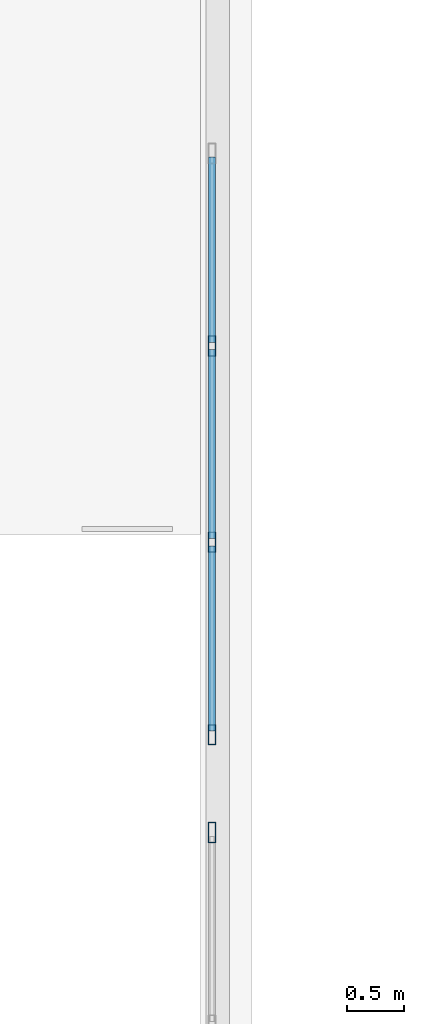
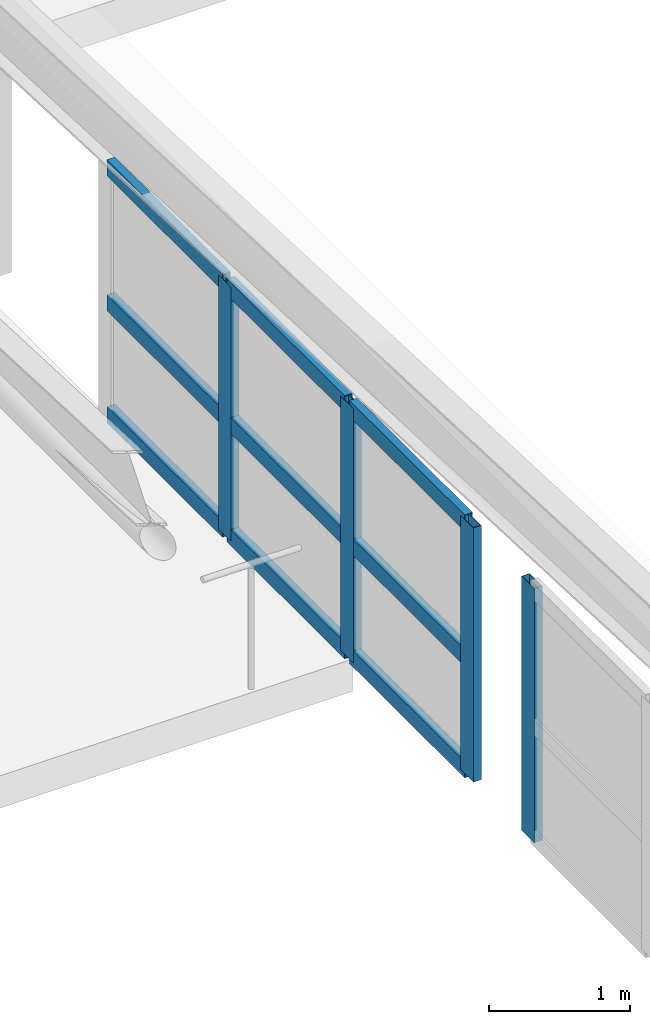
# One storey, part 35 of 128: 13 members, 2 elements without a shape of their own.
"""IFC4 building model written with IfcOpenShell, lengths in metres."""

from ifc_helpers import new_model, si_unit, direction, frame, origin, origin_2d, place, context, subcontext, project, spatial, hollow_rectangle, extrude, material, layer, layer_set, material_profile, profile_set, type_object, element, aggregate, save


model = new_model("IFC4")

# Units and contexts
model_context = context("Model", 3, precision=1e-05, world=origin(), true_north=direction((0.0, 1.0)))
body_context = subcontext(model_context, "Body", "Model", "MODEL_VIEW")
ifc_project = project(units=[si_unit("LENGTHUNIT", "METRE"), si_unit("AREAUNIT", "SQUARE_METRE"), si_unit("VOLUMEUNIT", "CUBIC_METRE"), si_unit("PLANEANGLEUNIT", "RADIAN"), si_unit("MASSUNIT", "GRAM", prefix="KILO")], contexts=[model_context])

# Site, building, storey
site_placement = place(None, origin())
site = spatial("IfcSite", under=ifc_project, at=site_placement, CompositionType="ELEMENT")
building_placement = place(site_placement, origin())
building = spatial("IfcBuilding", under=site, at=building_placement, Name="Keldmere Railside Commons", CompositionType="ELEMENT")
storey_placement = place(building_placement, frame((0.0, 0.0, 4.159912109375)))
storey = spatial("IfcBuildingStorey", under=building, at=storey_placement, Name="L01", CompositionType="ELEMENT", Elevation=4.159912109375)

# Curtain wall, member
ifc_material = material(Name="Thermally Broken Aluminium", Category="aluminium")
ifc_layer = layer(ifc_material, 0.159912109375, Name="Community Hall Side Clerestory CW 5200x2200")
ifc_layer_set = layer_set([ifc_layer], Name="Thermally Broken Aluminium")
curtain_wall_type = type_object("IfcCurtainWallType", Name="Community Hall Side Clerestory CW 5200x2200", PredefinedType="NOTDEFINED", material=ifc_layer_set)
curtain_wall_1_placement = place(storey_placement, origin())
curtain_wall_1 = element("IfcCurtainWall", 1, at=curtain_wall_1_placement, inside=storey, type_object=curtain_wall_type, Name="CW-06 CW-L01-208", PredefinedType="NOTDEFINED")
ifc_material_profile_1 = material_profile(ifc_material, hollow_rectangle(XDim=0.06494140625, YDim=0.179931640625, WallThickness=0.00390625, at=origin_2d()), Name="ALU-MULL-65x180")
ifc_profile_set_1 = profile_set([ifc_material_profile_1], Name="Thermally Broken Aluminium")
member_type_1 = type_object("IfcMemberType", Name="Civic Tall Curtain Wall Mullion 65x180", PredefinedType="MULLION", material=ifc_profile_set_1)
member_1_placement = place(storey_placement, frame((105.949951171875, 38.367431640625, 0.090087890625), z_axis=(0.0, 0.0, 1.0), x_axis=(1.0, 0.0, 0.0)))
member_1 = element("IfcMember", 2, at=member_1_placement, type_object=member_type_1, Name="CW-06 mullion 1", PredefinedType="MULLION", context=body_context, shape_type="SweptSolid", body=[
    extrude(hollow_rectangle(XDim=0.06494140625, YDim=0.179931640625, WallThickness=0.00390625, at=origin_2d()), origin(), (0.0, 0.0, 1.0), 2.199951171875),
])
aggregate(curtain_wall_1, [member_1])

# Curtain wall, members
curtain_wall_2_placement = place(storey_placement, origin())
curtain_wall_2 = element("IfcCurtainWall", 3, at=curtain_wall_2_placement, inside=storey, type_object=curtain_wall_type, Name="CW-06 CW-L01-210", PredefinedType="NOTDEFINED")
member_2_placement = place(storey_placement, frame((105.949951171875, 42.666748046875, 0.090087890625), z_axis=(0.0, 0.0, 1.0), x_axis=(1.0, 0.0, 0.0)))
member_2 = element("IfcMember", 4, at=member_2_placement, type_object=member_type_1, Name="CW-06 mullion 2", PredefinedType="MULLION", context=body_context, shape_type="SweptSolid", body=[
    extrude(hollow_rectangle(XDim=0.06494140625, YDim=0.179931640625, WallThickness=0.00390625, at=origin_2d()), origin(), (0.0, 0.0, 1.0), 2.199951171875),
])
member_3_placement = place(storey_placement, frame((105.949951171875, 40.933349609375, 0.090087890625), z_axis=(0.0, 0.0, 1.0), x_axis=(1.0, 0.0, 0.0)))
member_3 = element("IfcMember", 5, at=member_3_placement, type_object=member_type_1, Name="CW-06 mullion 3", PredefinedType="MULLION", context=body_context, shape_type="SweptSolid", body=[
    extrude(hollow_rectangle(XDim=0.06494140625, YDim=0.179931640625, WallThickness=0.00390625, at=origin_2d()), origin(), (0.0, 0.0, 1.0), 2.199951171875),
])
member_4_placement = place(storey_placement, frame((105.949951171875, 39.232421875, 0.090087890625), z_axis=(0.0, 0.0, 1.0), x_axis=(1.0, 0.0, 0.0)))
member_4 = element("IfcMember", 6, at=member_4_placement, type_object=member_type_1, Name="CW-06 mullion 4", PredefinedType="MULLION", context=body_context, shape_type="SweptSolid", body=[
    extrude(hollow_rectangle(XDim=0.06494140625, YDim=0.179931640625, WallThickness=0.00390625, at=origin_2d()), origin(), (0.0, 0.0, 1.0), 2.199951171875),
])
ifc_material_profile_2 = material_profile(ifc_material, hollow_rectangle(XDim=0.06494140625, YDim=0.139892578125, WallThickness=0.00390625, at=origin_2d()), Name="ALU-TRAN-65x140")
ifc_profile_set_2 = profile_set([ifc_material_profile_2], Name="Thermally Broken Aluminium")
member_type_2 = type_object("IfcMemberType", Name="Civic Tall Curtain Wall Transom 65x140", PredefinedType="USERDEFINED", material=ifc_profile_set_2)
member_5_placement = place(storey_placement, frame((105.949951171875, 44.3349609375, 0.12255859375), z_axis=(0.0, -1.0, 0.0), x_axis=(1.0, 0.0, 0.0)))
member_5 = element("IfcMember", 7, at=member_5_placement, type_object=member_type_2, Name="CW-06 transom 1.1", ObjectType="TRANSOM", PredefinedType="USERDEFINED", context=body_context, shape_type="SweptSolid", body=[
    extrude(hollow_rectangle(XDim=0.06494140625, YDim=0.139892578125, WallThickness=0.00390625, at=origin_2d()), origin(), (0.0, 0.0, 1.0), 1.6357421875),
])
member_6_placement = place(storey_placement, frame((105.949951171875, 44.3349609375, 1.090087890625), z_axis=(0.0, -1.0, 0.0), x_axis=(1.0, 0.0, 0.0)))
member_6 = element("IfcMember", 8, at=member_6_placement, type_object=member_type_2, Name="CW-06 transom 1.2", ObjectType="TRANSOM", PredefinedType="USERDEFINED", context=body_context, shape_type="SweptSolid", body=[
    extrude(hollow_rectangle(XDim=0.06494140625, YDim=0.139892578125, WallThickness=0.00390625, at=origin_2d()), origin(), (0.0, 0.0, 1.0), 1.6357421875),
])
member_7_placement = place(storey_placement, frame((105.949951171875, 44.3349609375, 2.257568359375), z_axis=(0.0, -1.0, 0.0), x_axis=(1.0, 0.0, 0.0)))
member_7 = element("IfcMember", 9, at=member_7_placement, type_object=member_type_2, Name="CW-06 transom 1.3", ObjectType="TRANSOM", PredefinedType="USERDEFINED", context=body_context, shape_type="SweptSolid", body=[
    extrude(hollow_rectangle(XDim=0.06494140625, YDim=0.139892578125, WallThickness=0.00390625, at=origin_2d()), origin(), (0.0, 0.0, 1.0), 1.6357421875),
])
member_8_placement = place(storey_placement, frame((105.949951171875, 42.63427734375, 0.12255859375), z_axis=(0.0, -1.0, 0.0), x_axis=(1.0, 0.0, 0.0)))
member_8 = element("IfcMember", 10, at=member_8_placement, type_object=member_type_2, Name="CW-06 transom 2.1", ObjectType="TRANSOM", PredefinedType="USERDEFINED", context=body_context, shape_type="SweptSolid", body=[
    extrude(hollow_rectangle(XDim=0.06494140625, YDim=0.139892578125, WallThickness=0.00390625, at=origin_2d()), origin(), (0.0, 0.0, 1.0), 1.66845703125),
])
member_9_placement = place(storey_placement, frame((105.949951171875, 42.63427734375, 1.090087890625), z_axis=(0.0, -1.0, 0.0), x_axis=(1.0, 0.0, 0.0)))
member_9 = element("IfcMember", 11, at=member_9_placement, type_object=member_type_2, Name="CW-06 transom 2.2", ObjectType="TRANSOM", PredefinedType="USERDEFINED", context=body_context, shape_type="SweptSolid", body=[
    extrude(hollow_rectangle(XDim=0.06494140625, YDim=0.139892578125, WallThickness=0.00390625, at=origin_2d()), origin(), (0.0, 0.0, 1.0), 1.66845703125),
])
member_10_placement = place(storey_placement, frame((105.949951171875, 42.63427734375, 2.257568359375), z_axis=(0.0, -1.0, 0.0), x_axis=(1.0, 0.0, 0.0)))
member_10 = element("IfcMember", 12, at=member_10_placement, type_object=member_type_2, Name="CW-06 transom 2.3", ObjectType="TRANSOM", PredefinedType="USERDEFINED", context=body_context, shape_type="SweptSolid", body=[
    extrude(hollow_rectangle(XDim=0.06494140625, YDim=0.139892578125, WallThickness=0.00390625, at=origin_2d()), origin(), (0.0, 0.0, 1.0), 1.66845703125),
])
member_11_placement = place(storey_placement, frame((105.949951171875, 40.90087890625, 0.12255859375), z_axis=(0.0, -1.0, 0.0), x_axis=(1.0, 0.0, 0.0)))
member_11 = element("IfcMember", 13, at=member_11_placement, type_object=member_type_2, Name="CW-06 transom 3.1", ObjectType="TRANSOM", PredefinedType="USERDEFINED", context=body_context, shape_type="SweptSolid", body=[
    extrude(hollow_rectangle(XDim=0.06494140625, YDim=0.139892578125, WallThickness=0.00390625, at=origin_2d()), origin(), (0.0, 0.0, 1.0), 1.635986328125),
])
member_12_placement = place(storey_placement, frame((105.949951171875, 40.90087890625, 1.090087890625), z_axis=(0.0, -1.0, 0.0), x_axis=(1.0, 0.0, 0.0)))
member_12 = element("IfcMember", 14, at=member_12_placement, type_object=member_type_2, Name="CW-06 transom 3.2", ObjectType="TRANSOM", PredefinedType="USERDEFINED", context=body_context, shape_type="SweptSolid", body=[
    extrude(hollow_rectangle(XDim=0.06494140625, YDim=0.139892578125, WallThickness=0.00390625, at=origin_2d()), origin(), (0.0, 0.0, 1.0), 1.635986328125),
])
member_13_placement = place(storey_placement, frame((105.949951171875, 40.90087890625, 2.257568359375), z_axis=(0.0, -1.0, 0.0), x_axis=(1.0, 0.0, 0.0)))
member_13 = element("IfcMember", 15, at=member_13_placement, type_object=member_type_2, Name="CW-06 transom 3.3", ObjectType="TRANSOM", PredefinedType="USERDEFINED", context=body_context, shape_type="SweptSolid", body=[
    extrude(hollow_rectangle(XDim=0.06494140625, YDim=0.139892578125, WallThickness=0.00390625, at=origin_2d()), origin(), (0.0, 0.0, 1.0), 1.635986328125),
])
aggregate(curtain_wall_2, [member_2, member_3, member_4, member_5, member_6, member_7, member_8, member_9, member_10, member_11, member_12, member_13])

save(model, "model.ifc")
